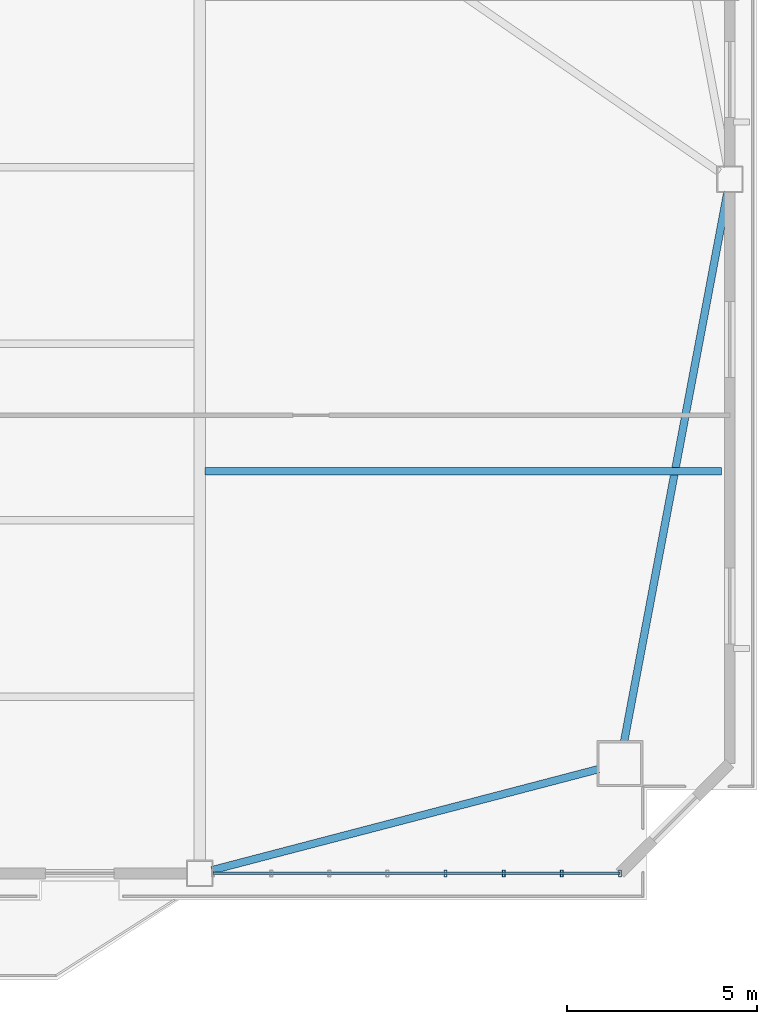
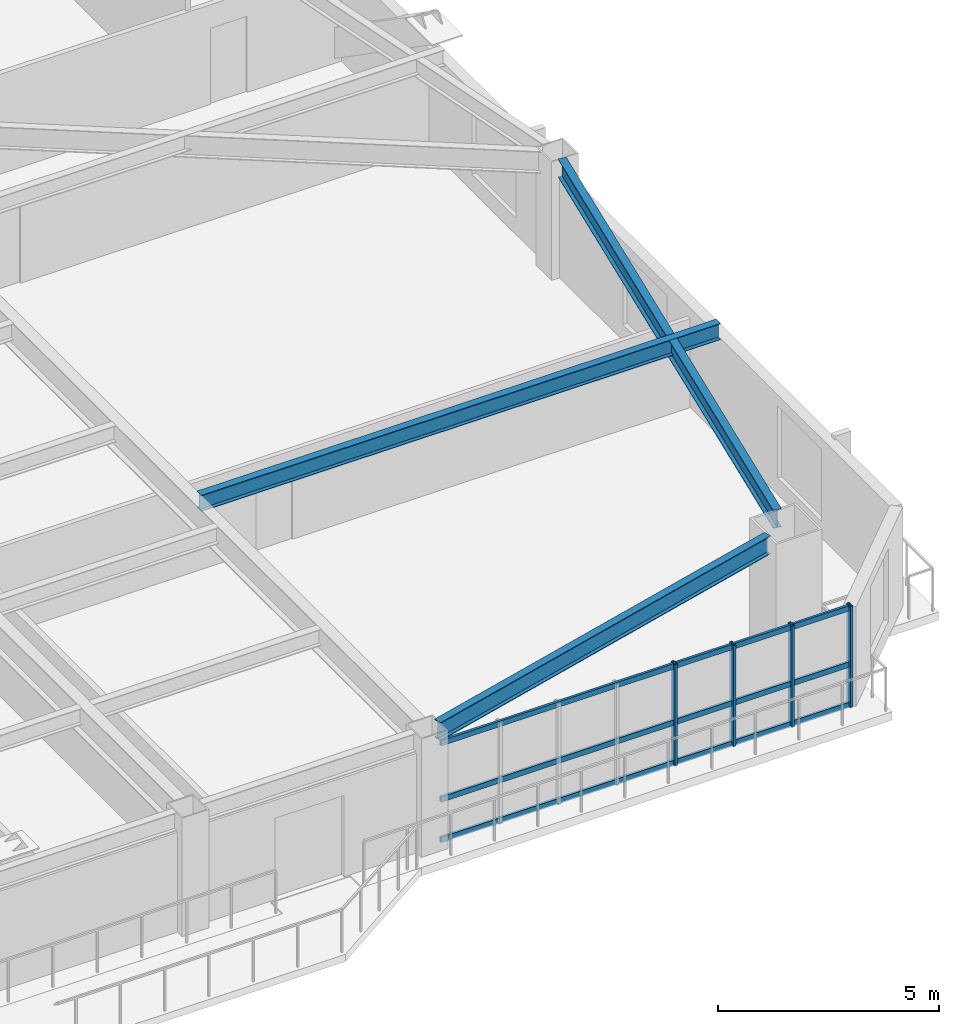
# One storey, part 5 of 15: 7 members, 3 beams, 1 element without a shape of its own.
"""IFC4 building model written with IfcOpenShell, lengths in metres."""

from ifc_helpers import new_model, si_unit, direction, frame, origin, origin_2d, place, context, subcontext, project, spatial, hollow_rectangle, i_section, extrude, source, transform, mapped, material, layer, layer_set, material_profile, profile_set, type_object, element, aggregate, save


model = new_model("IFC4")

# Units and contexts
model_context = context("Model", 3, precision=1e-05, world=origin(), true_north=direction((0.0, 1.0)))
body_context = subcontext(model_context, "Body", "Model", "MODEL_VIEW")
ifc_project = project(units=[si_unit("LENGTHUNIT", "METRE"), si_unit("AREAUNIT", "SQUARE_METRE"), si_unit("VOLUMEUNIT", "CUBIC_METRE"), si_unit("PLANEANGLEUNIT", "RADIAN"), si_unit("MASSUNIT", "GRAM", prefix="KILO")], contexts=[model_context])

# Site, building, storey
site_placement = place(None, origin())
site = spatial("IfcSite", under=ifc_project, at=site_placement, CompositionType="ELEMENT")
building_placement = place(site_placement, origin())
building = spatial("IfcBuilding", under=site, at=building_placement, Name="Giltprow Tower", CompositionType="ELEMENT")
storey_placement = place(building_placement, frame((0.0, 0.0, 173.699951171875)))
storey = spatial("IfcBuildingStorey", under=building, at=storey_placement, Name="L43", CompositionType="ELEMENT", Elevation=173.699951171875)

# Beams
ifc_material_1 = material(Name="Structural steel Q355B", Category="steel")
ifc_material_profile_1 = material_profile(ifc_material_1, i_section(OverallWidth=0.199951171875, OverallDepth=0.449951171875, WebThickness=0.009033203125, FlangeThickness=0.013916015625, at=origin_2d()), Name="HN 450x200x9x14")
ifc_profile_set_1 = profile_set([ifc_material_profile_1], Name="Structural steel Q355B")
beam_type_1 = type_object("IfcBeamType", Name="BM-JOIST-HN450", PredefinedType="JOIST", material=ifc_profile_set_1)
shared_shape_1 = source(origin(), body_context, "Body", "SweptSolid", [
    extrude(i_section(OverallWidth=0.199951171875, OverallDepth=0.449951171875, WebThickness=0.009033203125, FlangeThickness=0.013916015625, at=origin_2d()), origin(), (0.0, 0.0, 1.0), 13.56591796875),
])
beam_1_placement = place(storey_placement, frame((50.695068359375, 20.18798828125, 3.045166015625), z_axis=(1.0, 0.0, 0.0), x_axis=(0.0, 1.0, 0.0)))
element("IfcBeam", 1, at=beam_1_placement, inside=storey, type_object=beam_type_1, Name="L43 East Wing Floor Joist 1", PredefinedType="JOIST", context=body_context, shape_type="MappedRepresentation", body=[
    mapped(shared_shape_1, transform((0.0, 0.0, 0.0), x_axis=(1.0, 0.0, 0.0), y_axis=(0.0, 1.0, 0.0), z_axis=(0.0, 0.0, 1.0), scale=1.0)),
])
ifc_material_profile_2 = material_profile(ifc_material_1, i_section(OverallWidth=0.199951171875, OverallDepth=0.5, WebThickness=0.010009765625, FlangeThickness=0.01611328125, at=origin_2d()), Name="HN 500x200x10x16")
ifc_profile_set_2 = profile_set([ifc_material_profile_2], Name="Structural steel Q355B")
beam_type_2 = type_object("IfcBeamType", Name="BM-SPAN-HN500", PredefinedType="SPANDREL", material=ifc_profile_set_2)
shared_shape_2 = source(origin(), body_context, "Body", "SweptSolid", [
    extrude(i_section(OverallWidth=0.199951171875, OverallDepth=0.5, WebThickness=0.010009765625, FlangeThickness=0.01611328125, at=origin_2d()), origin(), (0.0, 0.0, 1.0), 10.4951171875),
])
beam_2_placement = place(storey_placement, frame((50.8740234375, 9.7109375, 3.02001953125), z_axis=(0.967496857975, 0.252883035826, 0.0), x_axis=(-0.252883035826, 0.967496857975, 0.0)))
element("IfcBeam", 2, at=beam_2_placement, inside=storey, type_object=beam_type_2, Name="L43 Perimeter Spandrel Beam S4-MC_SE", PredefinedType="SPANDREL", context=body_context, shape_type="MappedRepresentation", body=[
    mapped(shared_shape_2, transform((0.0, 0.0, 0.0), x_axis=(1.0, 0.0, 0.0), y_axis=(0.0, 1.0, 0.0), z_axis=(0.0, 0.0, 1.0), scale=1.0)),
])
shared_shape_3 = source(origin(), body_context, "Body", "SweptSolid", [
    extrude(i_section(OverallWidth=0.199951171875, OverallDepth=0.5, WebThickness=0.010009765625, FlangeThickness=0.01611328125, at=origin_2d()), origin(), (0.0, 0.0, 1.0), 14.69921875),
])
beam_3_placement = place(storey_placement, frame((61.701904296875, 13.087890625, 3.02001953125), z_axis=(0.184841051364, 0.982768429352, 0.0), x_axis=(-0.982768429352, 0.184841051364, 0.0)))
element("IfcBeam", 3, at=beam_3_placement, inside=storey, type_object=beam_type_2, Name="L43 Perimeter Spandrel Beam MC_SE-E_MID", PredefinedType="SPANDREL", context=body_context, shape_type="MappedRepresentation", body=[
    mapped(shared_shape_3, transform((0.0, 0.0, 0.0), x_axis=(1.0, 0.0, 0.0), y_axis=(0.0, 1.0, 0.0), z_axis=(0.0, 0.0, 1.0), scale=1.0)),
])

# Curtain wall, members
ifc_material_2 = material(Name="Anodized bronze", Category="metal")
ifc_layer = layer(ifc_material_2, 0.179931640625, Name="Anodized bronze")
ifc_layer_set = layer_set([ifc_layer], Name="Anodized bronze")
curtain_wall_type = type_object("IfcCurtainWallType", Name="CW-HTL-BRONZE", PredefinedType="NOTDEFINED", material=ifc_layer_set)
curtain_wall_placement = place(storey_placement, origin())
curtain_wall = element("IfcCurtainWall", 4, at=curtain_wall_placement, inside=storey, type_object=curtain_wall_type, Name="L43 South Recessed Curtain Wall 6", PredefinedType="NOTDEFINED")
ifc_material_profile_3 = material_profile(ifc_material_2, hollow_rectangle(XDim=0.074951171875, YDim=0.179931640625, WallThickness=0.008056640625, at=origin_2d()), Name="RHS 180x75x8")
ifc_profile_set_3 = profile_set([ifc_material_profile_3], Name="Anodized bronze")
member_type_1 = type_object("IfcMemberType", Name="CW-MULLION-180x75", PredefinedType="MULLION", material=ifc_profile_set_3)
shared_shape_4 = source(origin(), body_context, "Body", "SweptSolid", [
    extrude(hollow_rectangle(XDim=0.074951171875, YDim=0.179931640625, WallThickness=0.008056640625, at=origin_2d()), origin(), (0.0, 0.0, 1.0), 2.80517578125),
])
member_1_placement = place(storey_placement, frame((57.010986328125, 9.6259765625, -0.02001953125), z_axis=(0.0, 0.0, 1.0), x_axis=(1.0, 0.0, 0.0)))
member_1 = element("IfcMember", 5, at=member_1_placement, type_object=member_type_1, Name="L43 South Recessed Curtain Wall 6 Mullion 5", PredefinedType="MULLION", context=body_context, shape_type="MappedRepresentation", body=[
    mapped(shared_shape_4, transform((0.0, 0.0, 0.0), x_axis=(1.0, 0.0, 0.0), y_axis=(0.0, 1.0, 0.0), z_axis=(0.0, 0.0, 1.0), scale=1.0)),
])
member_2_placement = place(storey_placement, frame((58.5390625, 9.6259765625, -0.02001953125), z_axis=(0.0, 0.0, 1.0), x_axis=(1.0, 0.0, 0.0)))
member_2 = element("IfcMember", 6, at=member_2_placement, type_object=member_type_1, Name="L43 South Recessed Curtain Wall 6 Mullion 6", PredefinedType="MULLION", context=body_context, shape_type="MappedRepresentation", body=[
    mapped(shared_shape_4, transform((0.0, 0.0, 0.0), x_axis=(1.0, 0.0, 0.0), y_axis=(0.0, 1.0, 0.0), z_axis=(0.0, 0.0, 1.0), scale=1.0)),
])
member_3_placement = place(storey_placement, frame((60.06591796875, 9.6259765625, -0.02001953125), z_axis=(0.0, 0.0, 1.0), x_axis=(1.0, 0.0, 0.0)))
member_3 = element("IfcMember", 7, at=member_3_placement, type_object=member_type_1, Name="L43 South Recessed Curtain Wall 6 Mullion 7", PredefinedType="MULLION", context=body_context, shape_type="MappedRepresentation", body=[
    mapped(shared_shape_4, transform((0.0, 0.0, 0.0), x_axis=(1.0, 0.0, 0.0), y_axis=(0.0, 1.0, 0.0), z_axis=(0.0, 0.0, 1.0), scale=1.0)),
])
member_4_placement = place(storey_placement, frame((61.593994140625, 9.6259765625, -0.02001953125), z_axis=(0.0, 0.0, 1.0), x_axis=(1.0, 0.0, 0.0)))
member_4 = element("IfcMember", 8, at=member_4_placement, type_object=member_type_1, Name="L43 South Recessed Curtain Wall 6 Mullion 8", PredefinedType="MULLION", context=body_context, shape_type="MappedRepresentation", body=[
    mapped(shared_shape_4, transform((0.0, 0.0, 0.0), x_axis=(1.0, 0.0, 0.0), y_axis=(0.0, 1.0, 0.0), z_axis=(0.0, 0.0, 1.0), scale=1.0)),
])
ifc_material_profile_4 = material_profile(ifc_material_2, hollow_rectangle(XDim=0.06494140625, YDim=0.14990234375, WallThickness=0.006103515625, at=origin_2d()), Name="RHS 150x65x6")
ifc_profile_set_4 = profile_set([ifc_material_profile_4], Name="Anodized bronze")
member_type_2 = type_object("IfcMemberType", Name="CW-TRANSOM-150x65", PredefinedType="USERDEFINED", material=ifc_profile_set_4)
shared_shape_5 = source(origin(), body_context, "Body", "SweptSolid", [
    extrude(hollow_rectangle(XDim=0.06494140625, YDim=0.14990234375, WallThickness=0.006103515625, at=origin_2d()), origin(), (0.0, 0.0, 1.0), 10.694091796875),
])
member_5_placement = place(storey_placement, frame((50.89990234375, 9.6259765625, 0.0400390625), z_axis=(1.0, 0.0, 0.0), x_axis=(0.0, 1.0, 0.0)))
member_5 = element("IfcMember", 9, at=member_5_placement, type_object=member_type_2, Name="L43 South Recessed Curtain Wall 6 Transom 1", ObjectType="TRANSOM", PredefinedType="USERDEFINED", context=body_context, shape_type="MappedRepresentation", body=[
    mapped(shared_shape_5, transform((0.0, 0.0, 0.0), x_axis=(1.0, 0.0, 0.0), y_axis=(0.0, 1.0, 0.0), z_axis=(0.0, 0.0, 1.0), scale=1.0)),
])
member_6_placement = place(storey_placement, frame((50.89990234375, 9.6259765625, 1.155029296875), z_axis=(1.0, 0.0, 0.0), x_axis=(0.0, 1.0, 0.0)))
member_6 = element("IfcMember", 10, at=member_6_placement, type_object=member_type_2, Name="L43 South Recessed Curtain Wall 6 Transom 2", ObjectType="TRANSOM", PredefinedType="USERDEFINED", context=body_context, shape_type="MappedRepresentation", body=[
    mapped(shared_shape_5, transform((0.0, 0.0, 0.0), x_axis=(1.0, 0.0, 0.0), y_axis=(0.0, 1.0, 0.0), z_axis=(0.0, 0.0, 1.0), scale=1.0)),
])
member_7_placement = place(storey_placement, frame((50.89990234375, 9.6259765625, 2.7099609375), z_axis=(1.0, 0.0, 0.0), x_axis=(0.0, 1.0, 0.0)))
member_7 = element("IfcMember", 11, at=member_7_placement, type_object=member_type_2, Name="L43 South Recessed Curtain Wall 6 Transom 3", ObjectType="TRANSOM", PredefinedType="USERDEFINED", context=body_context, shape_type="MappedRepresentation", body=[
    mapped(shared_shape_5, transform((0.0, 0.0, 0.0), x_axis=(1.0, 0.0, 0.0), y_axis=(0.0, 1.0, 0.0), z_axis=(0.0, 0.0, 1.0), scale=1.0)),
])
aggregate(curtain_wall, [member_1, member_2, member_3, member_4, member_5, member_6, member_7])

save(model, "model.ifc")
